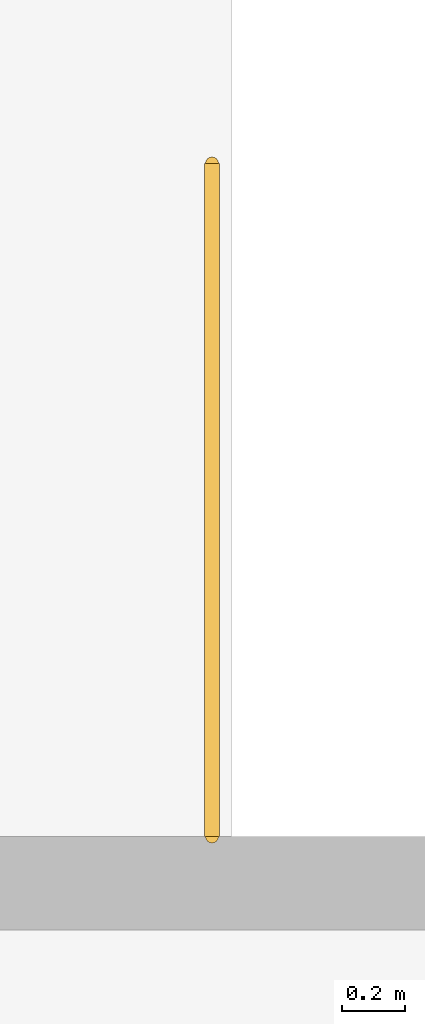
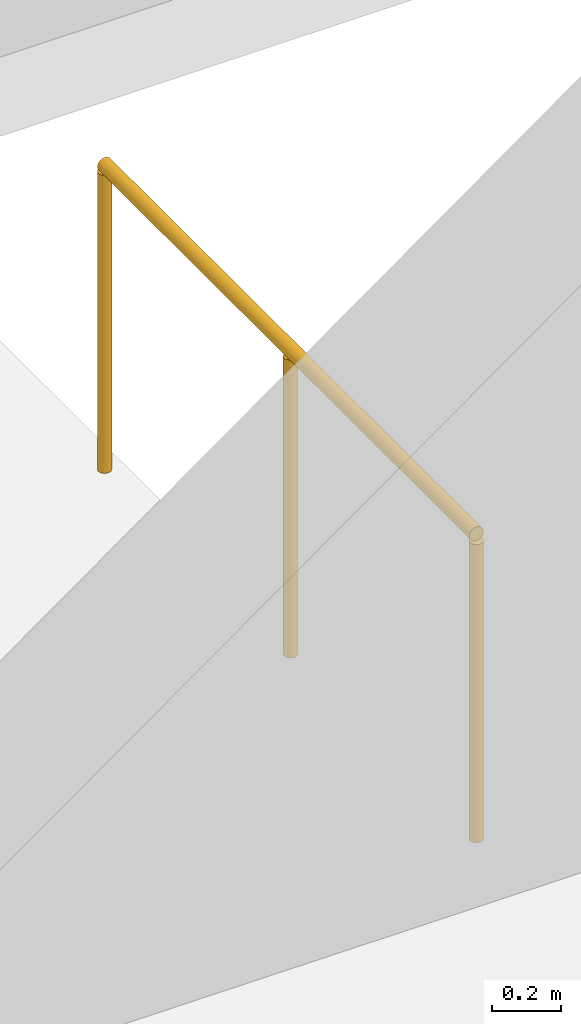
# One storey, part 166 of 177: 1 railing.
"""IFC4 building model written with IfcOpenShell, lengths in metres."""

from ifc_helpers import new_model, si_unit, direction, frame, origin, origin_2d, place, context, subcontext, project, spatial, circle, extrude, material, layer, layer_set, type_object, element, save


model = new_model("IFC4")

# Units and contexts
model_context = context("Model", 3, precision=1e-05, world=origin(), true_north=direction((0.0, 1.0)))
body_context = subcontext(model_context, "Body", "Model", "MODEL_VIEW")
ifc_project = project(units=[si_unit("LENGTHUNIT", "METRE"), si_unit("AREAUNIT", "SQUARE_METRE"), si_unit("VOLUMEUNIT", "CUBIC_METRE"), si_unit("PLANEANGLEUNIT", "RADIAN"), si_unit("MASSUNIT", "GRAM", prefix="KILO")], contexts=[model_context])

# Site, building, storey
site_placement = place(None, origin())
site = spatial("IfcSite", under=ifc_project, at=site_placement, CompositionType="ELEMENT")
building_placement = place(site_placement, origin())
building = spatial("IfcBuilding", under=site, at=building_placement, Name="Chiffa Square Polytechnic", CompositionType="ELEMENT")
storey_placement = place(building_placement, frame((0.0, 0.0, 4.800048828125)))
storey = spatial("IfcBuildingStorey", under=building, at=storey_placement, Name="L01", CompositionType="ELEMENT", Elevation=4.800048828125)

# Railing
ifc_material = material(Name="Steel S355", Category="steel")
ifc_layer = layer(ifc_material, 0.050048828125, Name="Steel S355")
ifc_layer_set = layer_set([ifc_layer], Name="Steel S355")
railing_type = type_object("IfcRailingType", Name="RL-STAIR-GUARD", PredefinedType="GUARDRAIL", material=ifc_layer_set)
railing_placement = place(storey_placement, frame((60.14990234375, 26.449951171875, 0.0)))
element("IfcRailing", 1, at=railing_placement, inside=storey, type_object=railing_type, Name="L01 ST-V4A top well guard 1", PredefinedType="GUARDRAIL", context=body_context, shape_type="SweptSolid", body=[
    extrude(circle(Radius=0.02392578125, at=origin_2d()), frame((0.0, 0.0, 1.076171875), z_axis=(0.0, 1.0, 0.0), x_axis=(-1.0, 0.0, 0.0)), (0.0, 0.0, 1.0), 2.150146484375),
    extrude(circle(Radius=0.02099609375, at=origin_2d()), origin(), (0.0, 0.0, 1.0), 1.052001953125),
    extrude(circle(Radius=0.02099609375, at=origin_2d()), frame((0.0, 1.0751953125, 0.0)), (0.0, 0.0, 1.0), 1.052001953125),
    extrude(circle(Radius=0.02099609375, at=origin_2d()), frame((0.0, 2.150146484375, 0.0)), (0.0, 0.0, 1.0), 1.052001953125),
])

save(model, "model.ifc")
